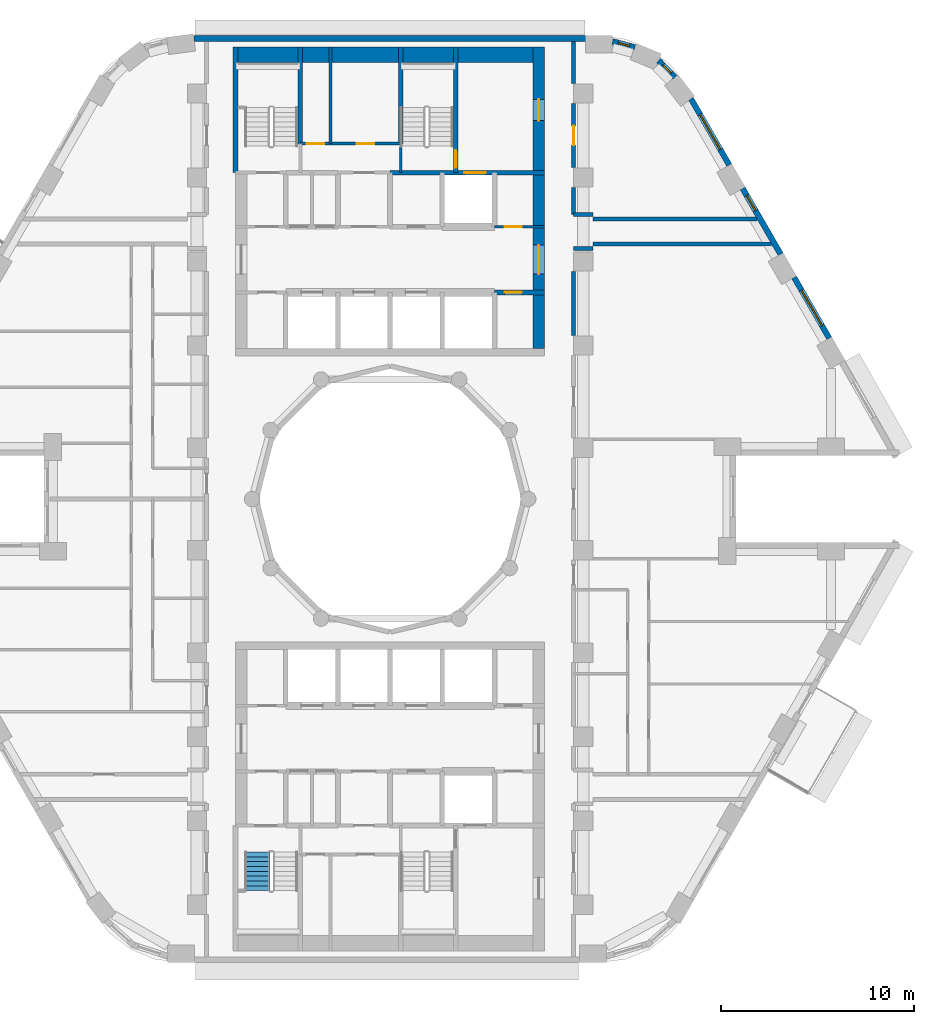
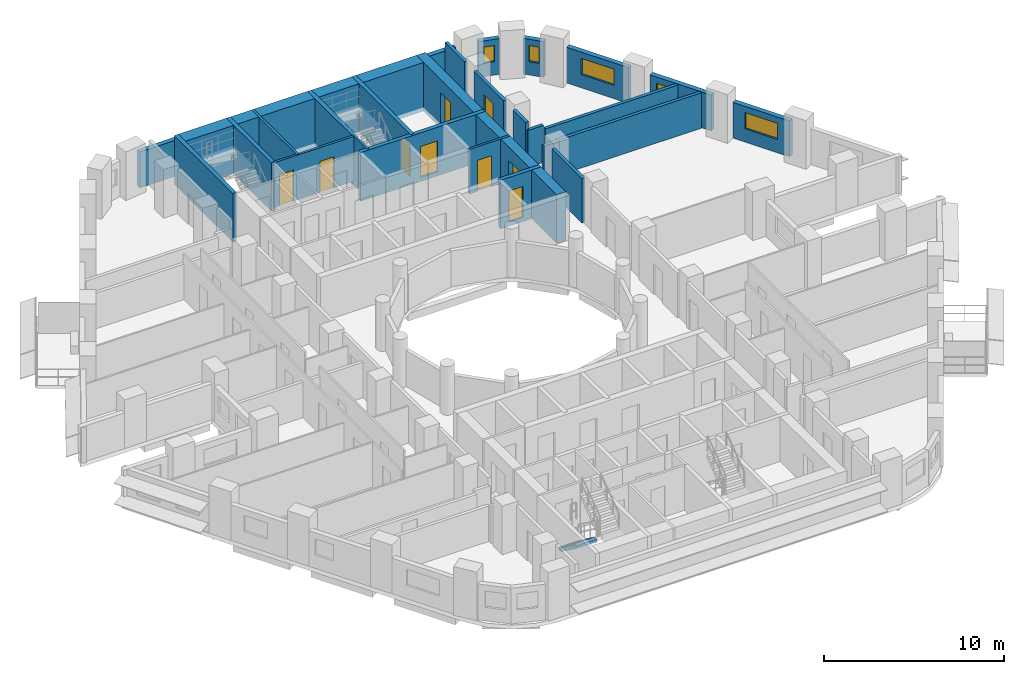
# One storey, part 8 of 14: 26 walls, 9 doors, 5 windows, 1 stair flight, 14 openings, 1 element without a shape of its own.
"""IFC4 building model written with IfcOpenShell, lengths in metres."""

from ifc_helpers import new_model, si_unit, direction, frame, frame_2d, origin, place, context, subcontext, project, spatial, polyline, rectangle, outline, extrude, material, layer, layer_set, type_object, element, fill, aggregate, save


model = new_model("IFC4")

# Units and contexts
model_context = context("Model", 3, precision=1e-05, world=origin(), true_north=direction((0.0, 1.0)))
body_context = subcontext(model_context, "Body", "Model", "MODEL_VIEW")
ifc_project = project(units=[si_unit("LENGTHUNIT", "METRE"), si_unit("AREAUNIT", "SQUARE_METRE"), si_unit("VOLUMEUNIT", "CUBIC_METRE"), si_unit("PLANEANGLEUNIT", "RADIAN"), si_unit("MASSUNIT", "GRAM", prefix="KILO")], contexts=[model_context])

# Site, building, storey
site_placement = place(None, origin())
site = spatial("IfcSite", under=ifc_project, at=site_placement, CompositionType="ELEMENT")
building_placement = place(site_placement, origin())
building = spatial("IfcBuilding", under=site, at=building_placement, Name="Nakaniwa Court", CompositionType="ELEMENT")
storey_placement = place(building_placement, frame((0.0, 0.0, 110.699951171875)))
storey = spatial("IfcBuildingStorey", under=building, at=storey_placement, Name="L29", CompositionType="ELEMENT", Elevation=110.699951171875)

# Walls
ifc_material_1 = material(Name="Acoustic double stud partition")
ifc_layer_1 = layer(ifc_material_1, 0.199951171875)
ifc_layer_set_1 = layer_set([ifc_layer_1], Name="Acoustic double stud partition")
wall_type_1 = type_object("IfcWallType", Name="Acoustic double stud partition 200", PredefinedType="PARTITIONING", material=ifc_layer_set_1)
wall_1_placement = place(storey_placement, frame((89.5, 88.467041015625, 0.0), z_axis=(0.0, 0.0, 1.0), x_axis=(0.0, 1.0, 0.0)))
element("IfcWall", 1, at=wall_1_placement, inside=storey, type_object=wall_type_1, Name="Partition PW-077", PredefinedType="PARTITIONING", context=body_context, shape_type="SweptSolid", body=[
    extrude(rectangle(XDim=3.31591796875, YDim=0.199951171875, at=frame_2d((1.657958984375, 0.0))), origin(), (0.0, 0.0, 1.0), 3.025146484375),
])
wall_2_placement = place(storey_placement, frame((89.5, 94.721923828125, 0.0), z_axis=(0.0, 0.0, 1.0), x_axis=(0.0, 1.0, 0.0)))
element("IfcWall", 2, at=wall_2_placement, inside=storey, type_object=wall_type_1, Name="Partition PW-078", PredefinedType="PARTITIONING", context=body_context, shape_type="SweptSolid", body=[
    extrude(rectangle(XDim=1.4111328125, YDim=0.199951171875, at=frame_2d((0.70556640625, 0.0))), origin(), (0.0, 0.0, 1.0), 3.025146484375),
])

# Wall, opening, door
wall_3_placement = place(storey_placement, frame((89.5, 100.48291015625, 0.0), z_axis=(0.0, 0.0, 1.0), x_axis=(0.0, -1.0, 0.0)))
wall_3 = element("IfcWall", 3, at=wall_3_placement, inside=storey, type_object=wall_type_1, Name="Partition PW-079", PredefinedType="PARTITIONING", context=body_context, shape_type="SweptSolid", body=[
    extrude(rectangle(XDim=3.31591796875, YDim=0.199951171875, at=frame_2d((1.657958984375, 0.0))), origin(), (0.0, 0.0, 1.0), 3.025146484375),
])
opening_1_placement = place(wall_3_placement, frame((1.157958984375, 0.0, 0.0)))
opening_1 = element("IfcOpeningElement", 4, at=opening_1_placement, cuts=wall_3, Name="Opening D-02-04", PredefinedType="OPENING", context=body_context, shape_type="SweptSolid", body=[
    extrude(rectangle(XDim=1.0, YDim=2.10009765625, at=frame_2d((0.5, 1.050048828125))), frame((0.0, 0.10986328125, 0.0), z_axis=(0.0, -1.0, 0.0), x_axis=(1.0, 0.0, 0.0)), (0.0, 0.0, 1.0), 0.219970703125),
])
ifc_material_2 = material(Name="Solid core timber door set, black veneer", Category="wood")
door_type_1 = type_object("IfcDoorType", Name="Internal door 1000", OperationType="NOTDEFINED", PredefinedType="DOOR", material=ifc_material_2)
door_1_placement = place(opening_1_placement, origin())
door_1 = element("IfcDoor", 5, at=door_1_placement, inside=storey, type_object=door_type_1, Name="Door D-02-04 L29-036", OperationType="SINGLE_SWING_LEFT", OverallHeight=2.10009765625, OverallWidth=1.0, PredefinedType="DOOR", context=body_context, shape_type="SweptSolid", body=[
    extrude(rectangle(XDim=1.0, YDim=2.10009765625, at=frame_2d((0.5, 1.050048828125))), frame((0.0, 0.02490234375, 0.0), z_axis=(0.0, -1.0, 0.0), x_axis=(1.0, 0.0, 0.0)), (0.0, 0.0, 1.0), 0.050048828125),
])
fill(opening_1, door_1)

# Walls
wall_4_placement = place(storey_placement, frame((89.5, 101.51708984375, 0.0), z_axis=(0.0, 0.0, 1.0), x_axis=(0.0, 1.0, 0.0)))
element("IfcWall", 6, at=wall_4_placement, inside=storey, type_object=wall_type_1, Name="Partition PW-080", PredefinedType="PARTITIONING", context=body_context, shape_type="SweptSolid", body=[
    extrude(rectangle(XDim=2.182861328125, YDim=0.199951171875, at=frame_2d((1.09130859375, 0.0))), origin(), (0.0, 0.0, 1.0), 3.025146484375),
])
wall_5_placement = place(storey_placement, frame((90.5, 93.199951171875, 0.0), z_axis=(0.0, 0.0, 1.0), x_axis=(1.0, 0.0, 0.0)))
element("IfcWall", 7, at=wall_5_placement, inside=storey, type_object=wall_type_1, Name="Partition PW-082", PredefinedType="PARTITIONING", context=body_context, shape_type="SweptSolid", body=[
    extrude(rectangle(XDim=9.245361328125, YDim=0.199951171875, at=frame_2d((4.62255859375, 0.0))), origin(), (0.0, 0.0, 1.0), 2.405029296875),
])
for number, where, z_axis, x_axis, name in (
    (8, (89.5, 92.97509765625, 0.0), (0.0, 0.0, 1.0), (1.0, 0.0, 0.0), "Partition PW-084"),
    (9, (89.5, 94.72509765625, 0.0), (0.0, 0.0, 1.0), (1.0, 0.0, 0.0), "Partition PW-086"),
):
    element("IfcWall", number, at=place(storey_placement, frame(where, z_axis=z_axis, x_axis=x_axis)), inside=storey, type_object=wall_type_1, Name=name, PredefinedType="PARTITIONING", context=body_context, shape_type="SweptSolid", body=[
        extrude(rectangle(XDim=1.0, YDim=0.199951171875, at=frame_2d((0.5, 0.0))), origin(), (0.0, 0.0, 1.0), 2.505126953125),
    ])
wall_6_placement = place(storey_placement, frame((90.5, 94.5, 0.0), z_axis=(0.0, 0.0, 1.0), x_axis=(1.0, 0.0, 0.0)))
element("IfcWall", 10, at=wall_6_placement, inside=storey, type_object=wall_type_1, Name="Partition PW-088", PredefinedType="PARTITIONING", context=body_context, shape_type="SweptSolid", body=[
    extrude(rectangle(XDim=8.494873046875, YDim=0.199951171875, at=frame_2d((4.24755859375, 0.0))), origin(), (0.0, 0.0, 1.0), 2.405029296875),
])

# Wall, opening, window
ifc_material_3 = material(Name="Charcoal ceramic cladding")
ifc_layer_2 = layer(ifc_material_3, 0.02, Name="Ceramic cladding")
ifc_material_4 = material(Name="Ventilated air cavity")
ifc_layer_3 = layer(ifc_material_4, 0.04, ventilated=True, Name="Ventilated cavity")
ifc_material_5 = material(Name="Mineral wool insulation")
ifc_layer_4 = layer(ifc_material_5, 0.1, Name="Insulation")
ifc_material_6 = material(Name="Cement bonded sheathing board")
ifc_layer_5 = layer(ifc_material_6, 0.012, Name="Sheathing")
ifc_material_7 = material(Name="Cold-formed galvanised stud frame with mineral wool infill")
ifc_layer_6 = layer(ifc_material_7, 0.1, Name="Stud frame")
ifc_material_8 = material(Name="Fire-rated gypsum plasterboard lining")
ifc_layer_7 = layer(ifc_material_8, 0.028, Name="Lining")
ifc_layer_set_2 = layer_set([ifc_layer_2, ifc_layer_3, ifc_layer_4, ifc_layer_5, ifc_layer_6, ifc_layer_7], Name="Charcoal ceramic faced external wall system")
wall_type_2 = type_object("IfcWallType", Name="Black ceramic faced external wall 300", PredefinedType="SOLIDWALL", material=ifc_layer_set_2)
wall_7_placement = place(storey_placement, frame((102.734619140625, 88.322509765625, 0.0), z_axis=(0.0, 0.0, 1.0), x_axis=(-0.500009139881, 0.866020126807, 0.0)))
wall_7 = element("IfcWall", 11, at=wall_7_placement, inside=storey, type_object=wall_type_2, Name="L29 external wall 03", PredefinedType="SOLIDWALL", context=body_context, shape_type="SweptSolid", body=[
    extrude(rectangle(XDim=3.63671875, YDim=0.300048828125, at=frame_2d((1.818359375, 0.0))), origin(), (0.0, 0.0, 1.0), 2.425048828125),
])
opening_2_placement = place(wall_7_placement, frame((0.768310546875, 0.0, 0.89990234375)))
opening_2 = element("IfcOpeningElement", 12, at=opening_2_placement, cuts=wall_7, Name="Opening W7.02", PredefinedType="OPENING", context=body_context, shape_type="SweptSolid", body=[
    extrude(rectangle(XDim=2.10009765625, YDim=1.10009765625, at=frame_2d((1.050048828125, 0.550048828125))), frame((0.0, 0.159912109375, 0.0), z_axis=(0.0, -1.0, 0.0), x_axis=(1.0, 0.0, 0.0)), (0.0, 0.0, 1.0), 0.320068359375),
])
ifc_material_9 = material(Name="Black anodised aluminium frame with dark low-E laminated double glazing", Category="aluminium")
window_type_1 = type_object("IfcWindowType", Name="Dark glass window 2100x1100 sill 900", PartitioningType="SINGLE_PANEL", PredefinedType="WINDOW", material=ifc_material_9)
window_1_placement = place(opening_2_placement, origin())
window_1 = element("IfcWindow", 13, at=window_1_placement, inside=storey, type_object=window_type_1, Name="L29 habitable room window 03-0", OverallHeight=1.10009765625, OverallWidth=2.10009765625, PartitioningType="SINGLE_PANEL", PredefinedType="WINDOW", context=body_context, shape_type="SweptSolid", body=[
    extrude(rectangle(XDim=2.10009765625, YDim=1.10009765625, at=frame_2d((1.050048828125, 0.550048828125))), frame((0.0, 0.030029296875, 0.0), z_axis=(0.0, -1.0, 0.0), x_axis=(1.0, 0.0, 0.0)), (0.0, 0.0, 1.0), 0.06005859375),
])
fill(opening_2, window_1)

wall_8_placement = place(storey_placement, frame((100.22021484375, 92.677490234375, 0.0), z_axis=(0.0, 0.0, 1.0), x_axis=(-0.499957037901, 0.866050206543, 0.0)))
wall_8 = element("IfcWall", 14, at=wall_8_placement, inside=storey, type_object=wall_type_2, Name="L29 external wall 04", PredefinedType="SOLIDWALL", context=body_context, shape_type="SweptSolid", body=[
    extrude(rectangle(XDim=3.933837890625, YDim=0.300048828125, at=frame_2d((1.966796875, 0.0))), origin(), (0.0, 0.0, 1.0), 2.425048828125),
])
opening_3_placement = place(wall_8_placement, frame((2.606201171875, 0.0, 0.89990234375)))
opening_3 = element("IfcOpeningElement", 15, at=opening_3_placement, cuts=wall_8, Name="Opening W9.03", PredefinedType="OPENING", context=body_context, shape_type="SweptSolid", body=[
    extrude(rectangle(XDim=0.89990234375, YDim=1.10009765625, at=frame_2d((0.449951171875, 0.550048828125))), frame((0.0, 0.159912109375, 0.0), z_axis=(0.0, -1.0, 0.0), x_axis=(1.0, 0.0, 0.0)), (0.0, 0.0, 1.0), 0.320068359375),
])
window_type_2 = type_object("IfcWindowType", Name="Dark glass window 900x1100 sill 900", PartitioningType="SINGLE_PANEL", PredefinedType="WINDOW", material=ifc_material_9)
window_2_placement = place(opening_3_placement, origin())
window_2 = element("IfcWindow", 16, at=window_2_placement, inside=storey, type_object=window_type_2, Name="L29 habitable room window 04-2", OverallHeight=1.10009765625, OverallWidth=0.89990234375, PartitioningType="SINGLE_PANEL", PredefinedType="WINDOW", context=body_context, shape_type="SweptSolid", body=[
    extrude(rectangle(XDim=0.89990234375, YDim=1.10009765625, at=frame_2d((0.449951171875, 0.550048828125))), frame((0.0, 0.030029296875, 0.0), z_axis=(0.0, -1.0, 0.0), x_axis=(1.0, 0.0, 0.0)), (0.0, 0.0, 1.0), 0.06005859375),
])
fill(opening_3, window_2)

wall_9_placement = place(storey_placement, frame((97.557373046875, 97.289794921875, 0.0), z_axis=(0.0, 0.0, 1.0), x_axis=(-0.500043828347, 0.866000097998, 0.0)))
wall_9 = element("IfcWall", 17, at=wall_9_placement, inside=storey, type_object=wall_type_2, Name="L29 external wall 05", PredefinedType="SOLIDWALL", context=body_context, shape_type="SweptSolid", body=[
    extrude(rectangle(XDim=3.967529296875, YDim=0.300048828125, at=frame_2d((1.98388671875, 0.0))), origin(), (0.0, 0.0, 1.0), 2.425048828125),
])
opening_4_placement = place(wall_9_placement, frame((0.92236328125, 0.0, 0.89990234375)))
opening_4 = element("IfcOpeningElement", 18, at=opening_4_placement, cuts=wall_9, Name="Opening W7.04", PredefinedType="OPENING", context=body_context, shape_type="SweptSolid", body=[
    extrude(rectangle(XDim=2.10009765625, YDim=1.10009765625, at=frame_2d((1.050048828125, 0.550048828125))), frame((0.0, 0.159912109375, 0.0), z_axis=(0.0, -1.0, 0.0), x_axis=(1.0, 0.0, 0.0)), (0.0, 0.0, 1.0), 0.320068359375),
])
window_3_placement = place(opening_4_placement, origin())
window_3 = element("IfcWindow", 19, at=window_3_placement, inside=storey, type_object=window_type_1, Name="L29 habitable room window 05-0", OverallHeight=1.10009765625, OverallWidth=2.10009765625, PartitioningType="SINGLE_PANEL", PredefinedType="WINDOW", context=body_context, shape_type="SweptSolid", body=[
    extrude(rectangle(XDim=2.10009765625, YDim=1.10009765625, at=frame_2d((1.050048828125, 0.550048828125))), frame((0.0, 0.030029296875, 0.0), z_axis=(0.0, -1.0, 0.0), x_axis=(1.0, 0.0, 0.0)), (0.0, 0.0, 1.0), 0.06005859375),
])
fill(opening_4, window_3)

wall_10_placement = place(storey_placement, frame((94.738037109375, 101.839111328125, 0.0), z_axis=(0.0, 0.0, 1.0), x_axis=(-0.697032216592, 0.717039809936, 0.0)))
wall_10 = element("IfcWall", 20, at=wall_10_placement, inside=storey, type_object=wall_type_2, Name="L29 external wall 06", PredefinedType="SOLIDWALL", context=body_context, shape_type="SweptSolid", body=[
    extrude(rectangle(XDim=1.2080078125, YDim=0.300048828125, at=frame_2d((0.60400390625, 0.0))), origin(), (0.0, 0.0, 1.0), 2.425048828125),
])
opening_5_placement = place(wall_10_placement, frame((0.279296875, 0.0, 0.89990234375)))
opening_5 = element("IfcOpeningElement", 21, at=opening_5_placement, cuts=wall_10, Name="Opening W8.05", PredefinedType="OPENING", context=body_context, shape_type="SweptSolid", body=[
    extrude(rectangle(XDim=0.60009765625, YDim=1.10009765625, at=frame_2d((0.300048828125, 0.550048828125))), frame((0.0, 0.159912109375, 0.0), z_axis=(0.0, -1.0, 0.0), x_axis=(1.0, 0.0, 0.0)), (0.0, 0.0, 1.0), 0.320068359375),
])
window_type_3 = type_object("IfcWindowType", Name="Dark glass window 600x1100 sill 900", PartitioningType="SINGLE_PANEL", PredefinedType="WINDOW", material=ifc_material_9)
window_4_placement = place(opening_5_placement, origin())
window_4 = element("IfcWindow", 22, at=window_4_placement, inside=storey, type_object=window_type_3, Name="L29 habitable room window 06-0", OverallHeight=1.10009765625, OverallWidth=0.60009765625, PartitioningType="SINGLE_PANEL", PredefinedType="WINDOW", context=body_context, shape_type="SweptSolid", body=[
    extrude(rectangle(XDim=0.60009765625, YDim=1.10009765625, at=frame_2d((0.300048828125, 0.550048828125))), frame((0.0, 0.030029296875, 0.0), z_axis=(0.0, -1.0, 0.0), x_axis=(1.0, 0.0, 0.0)), (0.0, 0.0, 1.0), 0.06005859375),
])
fill(opening_5, window_4)

wall_11_placement = place(storey_placement, frame((92.669189453125, 103.3818359375, 0.0), z_axis=(0.0, 0.0, 1.0), x_axis=(-0.965278131029, 0.261224290136, 0.0)))
wall_11 = element("IfcWall", 23, at=wall_11_placement, inside=storey, type_object=wall_type_2, Name="L29 external wall 07", PredefinedType="SOLIDWALL", context=body_context, shape_type="SweptSolid", body=[
    extrude(rectangle(XDim=1.189697265625, YDim=0.300048828125, at=frame_2d((0.5947265625, 0.0))), origin(), (0.0, 0.0, 1.0), 2.425048828125),
])
opening_6_placement = place(wall_11_placement, frame((0.28466796875, 0.0, 0.89990234375)))
opening_6 = element("IfcOpeningElement", 24, at=opening_6_placement, cuts=wall_11, Name="Opening W8.06", PredefinedType="OPENING", context=body_context, shape_type="SweptSolid", body=[
    extrude(rectangle(XDim=0.60009765625, YDim=1.10009765625, at=frame_2d((0.300048828125, 0.550048828125))), frame((0.0, 0.159912109375, 0.0), z_axis=(0.0, -1.0, 0.0), x_axis=(1.0, 0.0, 0.0)), (0.0, 0.0, 1.0), 0.320068359375),
])
window_5_placement = place(opening_6_placement, origin())
window_5 = element("IfcWindow", 25, at=window_5_placement, inside=storey, type_object=window_type_3, Name="L29 habitable room window 07-0", OverallHeight=1.10009765625, OverallWidth=0.60009765625, PartitioningType="SINGLE_PANEL", PredefinedType="WINDOW", context=body_context, shape_type="SweptSolid", body=[
    extrude(rectangle(XDim=0.60009765625, YDim=1.10009765625, at=frame_2d((0.300048828125, 0.550048828125))), frame((0.0, 0.030029296875, 0.0), z_axis=(0.0, -1.0, 0.0), x_axis=(1.0, 0.0, 0.0)), (0.0, 0.0, 1.0), 0.06005859375),
])
fill(opening_6, window_5)

# Wall
wall_12_placement = place(storey_placement, frame((90.128662109375, 103.85009765625, 0.0), z_axis=(0.0, 0.0, 1.0), x_axis=(-1.0, 0.0, 0.0)))
element("IfcWall", 26, at=wall_12_placement, inside=storey, type_object=wall_type_2, Name="L29 external wall 08", PredefinedType="SOLIDWALL", context=body_context, shape_type="SweptSolid", body=[
    extrude(rectangle(XDim=20.290771484375, YDim=0.300048828125, at=frame_2d((10.1455078125, 0.0))), origin(), (0.0, 0.0, 1.0), 2.425048828125),
])

# Wall, opening, door
ifc_material_10 = material(Name="Blockwork partition", Category="masonry")
ifc_layer_8 = layer(ifc_material_10, 0.14990234375)
ifc_layer_set_3 = layer_set([ifc_layer_8], Name="Blockwork partition")
wall_type_3 = type_object("IfcWallType", Name="Blockwork partition 150", PredefinedType="PARTITIONING", material=ifc_layer_set_3)
wall_13_placement = place(storey_placement, frame((85.39697265625, 94.10009765625, 0.0), z_axis=(0.0, 0.0, 1.0), x_axis=(1.0, 0.0, 0.0)))
wall_13 = element("IfcWall", 27, at=wall_13_placement, inside=storey, type_object=wall_type_3, Name="Partition PW-018", PredefinedType="PARTITIONING", context=body_context, shape_type="SweptSolid", body=[
    extrude(rectangle(XDim=2.60302734375, YDim=0.14990234375, at=frame_2d((1.301513671875, 0.0))), origin(), (0.0, 0.0, 1.0), 3.025146484375),
])
opening_7_placement = place(wall_13_placement, frame((0.528076171875, 0.0, 0.0)))
opening_7 = element("IfcOpeningElement", 28, at=opening_7_placement, cuts=wall_13, Name="Opening D-05-06", PredefinedType="OPENING", context=body_context, shape_type="SweptSolid", body=[
    extrude(rectangle(XDim=0.89990234375, YDim=2.10009765625, at=frame_2d((0.449951171875, 1.050048828125))), frame((0.0, 0.0849609375, 0.0), z_axis=(0.0, -1.0, 0.0), x_axis=(1.0, 0.0, 0.0)), (0.0, 0.0, 1.0), 0.169921875),
])
ifc_material_11 = material(Name="Fire rated steel door set", Category="steel")
door_type_2 = type_object("IfcDoorType", Name="Service room door 900", OperationType="NOTDEFINED", PredefinedType="DOOR", material=ifc_material_11)
door_2_placement = place(opening_7_placement, origin())
door_2 = element("IfcDoor", 29, at=door_2_placement, inside=storey, type_object=door_type_2, Name="Door D-05-06 L29-008", OperationType="SINGLE_SWING_LEFT", OverallHeight=2.10009765625, OverallWidth=0.89990234375, PredefinedType="DOOR", context=body_context, shape_type="SweptSolid", body=[
    extrude(rectangle(XDim=0.89990234375, YDim=2.10009765625, at=frame_2d((0.449951171875, 1.050048828125))), frame((0.0, 0.02490234375, 0.0), z_axis=(0.0, -1.0, 0.0), x_axis=(1.0, 0.0, 0.0)), (0.0, 0.0, 1.0), 0.050048828125),
])
fill(opening_7, door_2)

# Wall, openings, doors
wall_14_placement = place(storey_placement, frame((75.35009765625, 98.39990234375, 0.0), z_axis=(0.0, 0.0, 1.0), x_axis=(1.0, 0.0, 0.0)))
wall_14 = element("IfcWall", 30, at=wall_14_placement, inside=storey, type_object=wall_type_3, Name="Partition PW-033", PredefinedType="PARTITIONING", context=body_context, shape_type="SweptSolid", body=[
    extrude(rectangle(XDim=5.199951171875, YDim=0.14990234375, at=frame_2d((2.60009765625, 0.0))), origin(), (0.0, 0.0, 1.0), 3.025146484375),
])
opening_8_placement = place(wall_14_placement, frame((0.330078125, 0.0, 0.0)))
opening_8 = element("IfcOpeningElement", 31, at=opening_8_placement, cuts=wall_14, Name="Opening D-05-07", PredefinedType="OPENING", context=body_context, shape_type="SweptSolid", body=[
    extrude(rectangle(XDim=0.89990234375, YDim=2.10009765625, at=frame_2d((0.449951171875, 1.050048828125))), frame((0.0, 0.0849609375, 0.0), z_axis=(0.0, -1.0, 0.0), x_axis=(1.0, 0.0, 0.0)), (0.0, 0.0, 1.0), 0.169921875),
])
opening_9_placement = place(wall_14_placement, frame((2.929931640625, 0.0, 0.0)))
opening_9 = element("IfcOpeningElement", 32, at=opening_9_placement, cuts=wall_14, Name="Opening D-05-08", PredefinedType="OPENING", context=body_context, shape_type="SweptSolid", body=[
    extrude(rectangle(XDim=0.89990234375, YDim=2.10009765625, at=frame_2d((0.449951171875, 1.050048828125))), frame((0.0, 0.0849609375, 0.0), z_axis=(0.0, -1.0, 0.0), x_axis=(1.0, 0.0, 0.0)), (0.0, 0.0, 1.0), 0.169921875),
])
door_3_placement = place(opening_8_placement, origin())
door_3 = element("IfcDoor", 33, at=door_3_placement, inside=storey, type_object=door_type_2, Name="Door D-05-07 L29-010", OperationType="SINGLE_SWING_LEFT", OverallHeight=2.10009765625, OverallWidth=0.89990234375, PredefinedType="DOOR", context=body_context, shape_type="SweptSolid", body=[
    extrude(rectangle(XDim=0.89990234375, YDim=2.10009765625, at=frame_2d((0.449951171875, 1.050048828125))), frame((0.0, 0.02490234375, 0.0), z_axis=(0.0, -1.0, 0.0), x_axis=(1.0, 0.0, 0.0)), (0.0, 0.0, 1.0), 0.050048828125),
])
fill(opening_8, door_3)
door_4_placement = place(opening_9_placement, origin())
door_4 = element("IfcDoor", 34, at=door_4_placement, inside=storey, type_object=door_type_2, Name="Door D-05-08 L29-011", OperationType="SINGLE_SWING_RIGHT", OverallHeight=2.10009765625, OverallWidth=0.89990234375, PredefinedType="DOOR", context=body_context, shape_type="SweptSolid", body=[
    extrude(rectangle(XDim=0.89990234375, YDim=2.10009765625, at=frame_2d((0.449951171875, 1.050048828125))), frame((0.0, 0.02490234375, 0.0), z_axis=(0.0, -1.0, 0.0), x_axis=(1.0, 0.0, 0.0)), (0.0, 0.0, 1.0), 0.050048828125),
])
fill(opening_9, door_4)

# Wall
wall_15_placement = place(storey_placement, frame((76.909912109375, 98.39990234375, 0.0), z_axis=(0.0, 0.0, 1.0), x_axis=(0.0, 1.0, 0.0)))
element("IfcWall", 35, at=wall_15_placement, inside=storey, type_object=wall_type_3, Name="Partition PW-034", PredefinedType="PARTITIONING", context=body_context, shape_type="SweptSolid", body=[
    extrude(rectangle(XDim=5.0, YDim=0.14990234375, at=frame_2d((2.5, 0.0))), origin(), (0.0, 0.0, 1.0), 3.025146484375),
])

# Wall, openings, doors
ifc_material_12 = material(Name="Concrete C80/100", Category="concrete")
ifc_layer_9 = layer(ifc_material_12, 0.60009765625)
ifc_layer_set_4 = layer_set([ifc_layer_9], Name="Concrete C80/100")
wall_type_4 = type_object("IfcWallType", Name="Concrete core side wall 600 C80", PredefinedType="SHEAR", material=ifc_layer_set_4)
wall_16_placement = place(storey_placement, frame((87.699951171875, 103.39990234375, -0.27490234375), z_axis=(0.0, 0.0, 1.0), x_axis=(0.0, -1.0, 0.0)))
wall_16 = element("IfcWall", 36, at=wall_16_placement, inside=storey, type_object=wall_type_4, Name="Core wall SW-15", PredefinedType="SHEAR", context=body_context, shape_type="SweptSolid", body=[
    extrude(rectangle(XDim=15.599853515625, YDim=0.60009765625, at=frame_2d((7.7998046875, 0.0))), origin(), (0.0, 0.0, 1.0), 3.300048828125),
])
opening_10_placement = place(wall_16_placement, frame((10.25, 0.0, 0.27490234375)))
opening_10 = element("IfcOpeningElement", 37, at=opening_10_placement, cuts=wall_16, Name="Opening D-07-01", PredefinedType="OPENING", context=body_context, shape_type="SweptSolid", body=[
    extrude(rectangle(XDim=1.5, YDim=2.10009765625, at=frame_2d((0.75, 1.050048828125))), frame((0.0, 0.31005859375, 0.0), z_axis=(0.0, -1.0, 0.0), x_axis=(1.0, 0.0, 0.0)), (0.0, 0.0, 1.0), 0.6201171875),
])
opening_11_placement = place(wall_16_placement, frame((2.699951171875, 0.0, 0.27490234375)))
opening_11 = element("IfcOpeningElement", 38, at=opening_11_placement, cuts=wall_16, Name="Opening D-10-01", PredefinedType="OPENING", context=body_context, shape_type="SweptSolid", body=[
    extrude(rectangle(XDim=1.10009765625, YDim=2.10009765625, at=frame_2d((0.550048828125, 1.050048828125))), frame((0.0, 0.31005859375, 0.0), z_axis=(0.0, -1.0, 0.0), x_axis=(1.0, 0.0, 0.0)), (0.0, 0.0, 1.0), 0.6201171875),
])
door_type_3 = type_object("IfcDoorType", Name="Firefighting lobby door 1100", OperationType="NOTDEFINED", PredefinedType="DOOR", material=ifc_material_11)
door_5_placement = place(opening_11_placement, origin())
door_5 = element("IfcDoor", 39, at=door_5_placement, inside=storey, type_object=door_type_3, Name="Door D-10-01 L29-056", OperationType="SINGLE_SWING_LEFT", OverallHeight=2.10009765625, OverallWidth=1.10009765625, PredefinedType="DOOR", context=body_context, shape_type="SweptSolid", body=[
    extrude(rectangle(XDim=1.10009765625, YDim=2.10009765625, at=frame_2d((0.550048828125, 1.050048828125))), frame((0.0, 0.02490234375, 0.0), z_axis=(0.0, -1.0, 0.0), x_axis=(1.0, 0.0, 0.0)), (0.0, 0.0, 1.0), 0.050048828125),
])
fill(opening_11, door_5)
ifc_material_13 = material(Name="Glazed fire rated steel double door set", Category="steel")
door_type_4 = type_object("IfcDoorType", Name="Lobby double door 1500", OperationType="NOTDEFINED", PredefinedType="DOOR", material=ifc_material_13)
door_6_placement = place(opening_10_placement, origin())
door_6 = element("IfcDoor", 40, at=door_6_placement, inside=storey, type_object=door_type_4, Name="Door D-07-01 L29-054", OperationType="DOUBLE_DOOR_SINGLE_SWING", OverallHeight=2.10009765625, OverallWidth=1.5, PredefinedType="DOOR", context=body_context, shape_type="SweptSolid", body=[
    extrude(rectangle(XDim=1.5, YDim=2.10009765625, at=frame_2d((0.75, 1.050048828125))), frame((0.0, 0.02490234375, 0.0), z_axis=(0.0, -1.0, 0.0), x_axis=(1.0, 0.0, 0.0)), (0.0, 0.0, 1.0), 0.050048828125),
])
fill(opening_10, door_6)

# Walls
ifc_layer_10 = layer(ifc_material_12, 0.14990234375)
ifc_layer_set_5 = layer_set([ifc_layer_10], Name="Concrete C80/100")
wall_type_5 = type_object("IfcWallType", Name="Concrete core wall 150 C80", PredefinedType="SHEAR", material=ifc_layer_set_5)
wall_17_placement = place(storey_placement, frame((80.550048828125, 96.89990234375, -0.27490234375), z_axis=(0.0, 0.0, 1.0), x_axis=(0.0, 1.0, 0.0)))
element("IfcWall", 41, at=wall_17_placement, inside=storey, type_object=wall_type_5, Name="Core wall SW-31", PredefinedType="SHEAR", context=body_context, shape_type="SweptSolid", body=[
    extrude(rectangle(XDim=1.503173828125, YDim=0.14990234375, at=frame_2d((0.75146484375, 0.0))), origin(), (0.0, 0.0, 1.0), 3.300048828125),
])
ifc_layer_11 = layer(ifc_material_12, 0.25)
ifc_layer_set_6 = layer_set([ifc_layer_11], Name="Concrete C80/100")
wall_type_6 = type_object("IfcWallType", Name="Concrete core wall 250 C80", PredefinedType="SHEAR", material=ifc_layer_set_6)
wall_18_placement = place(storey_placement, frame((72.0, 96.89990234375, -0.27490234375), z_axis=(0.0, 0.0, 1.0), x_axis=(0.0, 1.0, 0.0)))
element("IfcWall", 42, at=wall_18_placement, inside=storey, type_object=wall_type_6, Name="Core wall SW-29", PredefinedType="SHEAR", context=body_context, shape_type="SweptSolid", body=[
    extrude(rectangle(XDim=6.5, YDim=0.25, at=frame_2d((3.25, 0.0))), origin(), (0.0, 0.0, 1.0), 3.300048828125),
])
ifc_layer_12 = layer(ifc_material_12, 0.800048828125)
ifc_layer_set_7 = layer_set([ifc_layer_12], Name="Concrete C80/100")
wall_type_7 = type_object("IfcWallType", Name="Concrete core wall 800 C80", PredefinedType="SHEAR", material=ifc_layer_set_7)
wall_19_placement = place(storey_placement, frame((72.00390625, 103.0, -0.27490234375), z_axis=(0.0, 0.0, 1.0), x_axis=(1.0, 0.0, 0.0)))
element("IfcWall", 43, at=wall_19_placement, inside=storey, type_object=wall_type_7, Name="Core wall SW-133", PredefinedType="SHEAR", context=body_context, shape_type="SweptSolid", body=[
    extrude(rectangle(XDim=15.9921875, YDim=0.800048828125, at=frame_2d((7.99609375, 0.0))), origin(), (0.0, 0.0, 1.0), 3.300048828125),
])

# Wall, opening, door
ifc_layer_13 = layer(ifc_material_12, 0.25)
ifc_layer_set_8 = layer_set([ifc_layer_13], Name="Concrete C80/100")
wall_type_8 = type_object("IfcWallType", Name="Concrete shaft wall 250 C80", PredefinedType="SHEAR", material=ifc_layer_set_8)
wall_20_placement = place(storey_placement, frame((88.0, 90.699951171875, -0.27490234375), z_axis=(0.0, 0.0, 1.0), x_axis=(-1.0, 0.0, 0.0)))
wall_20 = element("IfcWall", 44, at=wall_20_placement, inside=storey, type_object=wall_type_8, Name="Core wall SW-14", PredefinedType="SHEAR", context=body_context, shape_type="SweptSolid", body=[
    extrude(rectangle(XDim=2.60009765625, YDim=0.25, at=frame_2d((1.300048828125, 0.0))), origin(), (0.0, 0.0, 1.0), 3.300048828125),
])
opening_12_placement = place(wall_20_placement, frame((1.175048828125, 0.0, 0.27490234375)))
opening_12 = element("IfcOpeningElement", 45, at=opening_12_placement, cuts=wall_20, Name="Opening D-05-02", PredefinedType="OPENING", context=body_context, shape_type="SweptSolid", body=[
    extrude(rectangle(XDim=0.89990234375, YDim=2.10009765625, at=frame_2d((0.449951171875, 1.050048828125))), frame((0.0, 0.135009765625, 0.0), z_axis=(0.0, -1.0, 0.0), x_axis=(1.0, 0.0, 0.0)), (0.0, 0.0, 1.0), 0.27001953125),
])
door_7_placement = place(opening_12_placement, origin())
door_7 = element("IfcDoor", 46, at=door_7_placement, inside=storey, type_object=door_type_2, Name="Door D-05-02 L29-002", OperationType="SINGLE_SWING_LEFT", OverallHeight=2.10009765625, OverallWidth=0.89990234375, PredefinedType="DOOR", context=body_context, shape_type="SweptSolid", body=[
    extrude(rectangle(XDim=0.89990234375, YDim=2.10009765625, at=frame_2d((0.449951171875, 1.050048828125))), frame((0.0, 0.02490234375, 0.0), z_axis=(0.0, -1.0, 0.0), x_axis=(1.0, 0.0, 0.0)), (0.0, 0.0, 1.0), 0.050048828125),
])
fill(opening_12, door_7)

wall_21_placement = place(storey_placement, frame((80.0, 96.89990234375, -0.27490234375), z_axis=(0.0, 0.0, 1.0), x_axis=(1.0, 0.0, 0.0)))
wall_21 = element("IfcWall", 47, at=wall_21_placement, inside=storey, type_object=wall_type_8, Name="Core wall SW-25", PredefinedType="SHEAR", context=body_context, shape_type="SweptSolid", body=[
    extrude(rectangle(XDim=8.0, YDim=0.25, at=frame_2d((4.0, 0.0))), origin(), (0.0, 0.0, 1.0), 3.300048828125),
])
opening_13_placement = place(wall_21_placement, frame((3.84912109375, 0.0, 0.27490234375)))
opening_13 = element("IfcOpeningElement", 48, at=opening_13_placement, cuts=wall_21, Name="Opening LD04", PredefinedType="OPENING", context=body_context, shape_type="SweptSolid", body=[
    extrude(rectangle(XDim=1.10009765625, YDim=2.10009765625, at=frame_2d((0.550048828125, 1.050048828125))), frame((0.0, 0.135009765625, 0.0), z_axis=(0.0, -1.0, 0.0), x_axis=(1.0, 0.0, 0.0)), (0.0, 0.0, 1.0), 0.27001953125),
])
ifc_material_14 = material(Name="Stainless steel sliding lift landing door", Category="steel")
door_type_5 = type_object("IfcDoorType", Name="Lift landing door 1100", OperationType="NOTDEFINED", PredefinedType="DOOR", material=ifc_material_14)
door_8_placement = place(opening_13_placement, origin())
door_8 = element("IfcDoor", 49, at=door_8_placement, inside=storey, type_object=door_type_5, Name="Lift landing door LD04 L29-004", OperationType="SLIDING_TO_LEFT", OverallHeight=2.10009765625, OverallWidth=1.10009765625, PredefinedType="DOOR", context=body_context, shape_type="SweptSolid", body=[
    extrude(rectangle(XDim=1.10009765625, YDim=2.10009765625, at=frame_2d((0.550048828125, 1.050048828125))), frame((0.0, 0.02490234375, 0.0), z_axis=(0.0, -1.0, 0.0), x_axis=(1.0, 0.0, 0.0)), (0.0, 0.0, 1.0), 0.050048828125),
])
fill(opening_13, door_8)

# Wall
wall_22_placement = place(storey_placement, frame((75.35009765625, 98.39697265625, -0.27490234375), z_axis=(0.0, 0.0, 1.0), x_axis=(0.0, 1.0, 0.0)))
element("IfcWall", 50, at=wall_22_placement, inside=storey, type_object=wall_type_8, Name="Core wall SW-28", PredefinedType="SHEAR", context=body_context, shape_type="SweptSolid", body=[
    extrude(rectangle(XDim=5.0029296875, YDim=0.25, at=frame_2d((2.50146484375, 0.0))), origin(), (0.0, 0.0, 1.0), 3.300048828125),
])

# Wall, opening, door
wall_23_placement = place(storey_placement, frame((83.39990234375, 103.39990234375, -0.27490234375), z_axis=(0.0, 0.0, 1.0), x_axis=(0.0, -1.0, 0.0)))
wall_23 = element("IfcWall", 51, at=wall_23_placement, inside=storey, type_object=wall_type_8, Name="Core wall SW-30", PredefinedType="SHEAR", context=body_context, shape_type="SweptSolid", body=[
    extrude(rectangle(XDim=6.5, YDim=0.25, at=frame_2d((3.25, 0.0))), origin(), (0.0, 0.0, 1.0), 3.300048828125),
])
opening_14_placement = place(wall_23_placement, frame((5.35009765625, 0.0, 0.27490234375)))
opening_14 = element("IfcOpeningElement", 52, at=opening_14_placement, cuts=wall_23, Name="Opening D-11-01", PredefinedType="OPENING", context=body_context, shape_type="SweptSolid", body=[
    extrude(rectangle(XDim=0.89990234375, YDim=2.10009765625, at=frame_2d((0.449951171875, 1.050048828125))), frame((0.0, 0.135009765625, 0.0), z_axis=(0.0, -1.0, 0.0), x_axis=(1.0, 0.0, 0.0)), (0.0, 0.0, 1.0), 0.27001953125),
])
door_type_6 = type_object("IfcDoorType", Name="Stair door 900", OperationType="NOTDEFINED", PredefinedType="DOOR", material=ifc_material_11)
door_9_placement = place(opening_14_placement, origin())
door_9 = element("IfcDoor", 53, at=door_9_placement, inside=storey, type_object=door_type_6, Name="Door D-11-01 L29-013", OperationType="SINGLE_SWING_LEFT", OverallHeight=2.10009765625, OverallWidth=0.89990234375, PredefinedType="DOOR", context=body_context, shape_type="SweptSolid", body=[
    extrude(rectangle(XDim=0.89990234375, YDim=2.10009765625, at=frame_2d((0.449951171875, 1.050048828125))), frame((0.0, 0.02490234375, 0.0), z_axis=(0.0, -1.0, 0.0), x_axis=(1.0, 0.0, 0.0)), (0.0, 0.0, 1.0), 0.050048828125),
])
fill(opening_14, door_9)

# Wall
wall_24_placement = place(storey_placement, frame((80.550048828125, 98.39697265625, -0.27490234375), z_axis=(0.0, 0.0, 1.0), x_axis=(0.0, 1.0, 0.0)))
element("IfcWall", 54, at=wall_24_placement, inside=storey, type_object=wall_type_8, Name="Core wall SW-32", PredefinedType="SHEAR", context=body_context, shape_type="SweptSolid", body=[
    extrude(rectangle(XDim=5.0029296875, YDim=0.25, at=frame_2d((2.50146484375, 0.0))), origin(), (0.0, 0.0, 1.0), 3.300048828125),
])

# Stair, stair flight
stair_type = type_object("IfcStairType", Name="Dog leg stair 1300 wide 18 risers", PredefinedType="HALF_TURN_STAIR", material=ifc_material_12)
stair_placement = place(storey_placement, origin())
stair = element("IfcStair", 55, at=stair_placement, inside=storey, type_object=stair_type, Name="L29 Stair ST3", PredefinedType="HALF_TURN_STAIR")
stair_flight_type = type_object("IfcStairFlightType", Name="Stair flight 1300 wide 9 risers", PredefinedType="STRAIGHT", material=ifc_material_12)
stair_flight_placement = place(storey_placement, frame((73.125, 61.72509765625, 0.0), z_axis=(0.0, 0.0, 1.0), x_axis=(0.0, -1.0, 0.0)))
stair_flight = element("IfcStairFlight", 56, at=stair_flight_placement, type_object=stair_flight_type, Name="ST3 flight 1", NumberOfRisers=9, NumberOfTreads=8, PredefinedType="STRAIGHT", RiserHeight=0.183333333, TreadLength=0.25, context=body_context, shape_type="SweptSolid", body=[
    extrude(outline(polyline([(0.0, 0.0), (0.0, 0.026123046875), (0.0, 0.052490234375), (0.0, 0.07861328125), (0.0, 0.104736328125), (0.0, 0.130859375), (0.0, 0.1572265625), (0.0, 0.183349609375), (0.25, 0.183349609375), (0.25, 0.36669921875), (0.5, 0.36669921875), (0.5, 0.550048828125), (0.75, 0.550048828125), (0.75, 0.7333984375), (1.0, 0.7333984375), (1.0, 0.916748046875), (1.25, 0.916748046875), (1.25, 1.10009765625), (1.5, 1.10009765625), (1.5, 1.283447265625), (1.75, 1.283447265625), (1.75, 1.466552734375), (2.0, 1.466552734375), (2.0, 1.64990234375), (2.0, 1.59716796875), (2.0, 1.54443359375), (2.0, 1.49169921875), (2.0, 1.43896484375), (2.0, 1.38623046875), (2.0, 1.33349609375), (2.0, 1.28076171875), (0.25341796875, 0.0), (0.0, 0.0)])), frame((0.0, 0.64990234375, 0.0), z_axis=(0.0, -1.0, 0.0), x_axis=(1.0, 0.0, 0.0)), (0.0, 0.0, 1.0), 1.300048828125),
])
aggregate(stair, [stair_flight])

save(model, "model.ifc")
